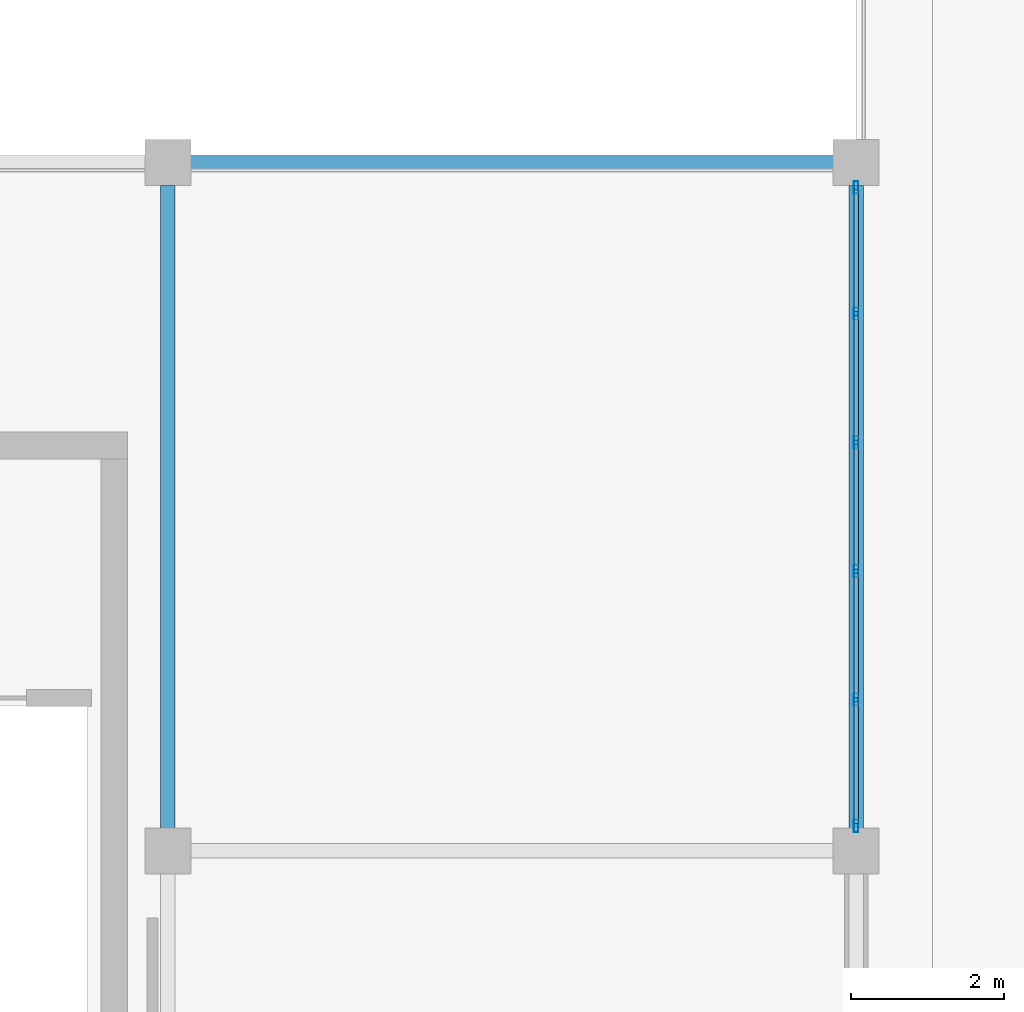
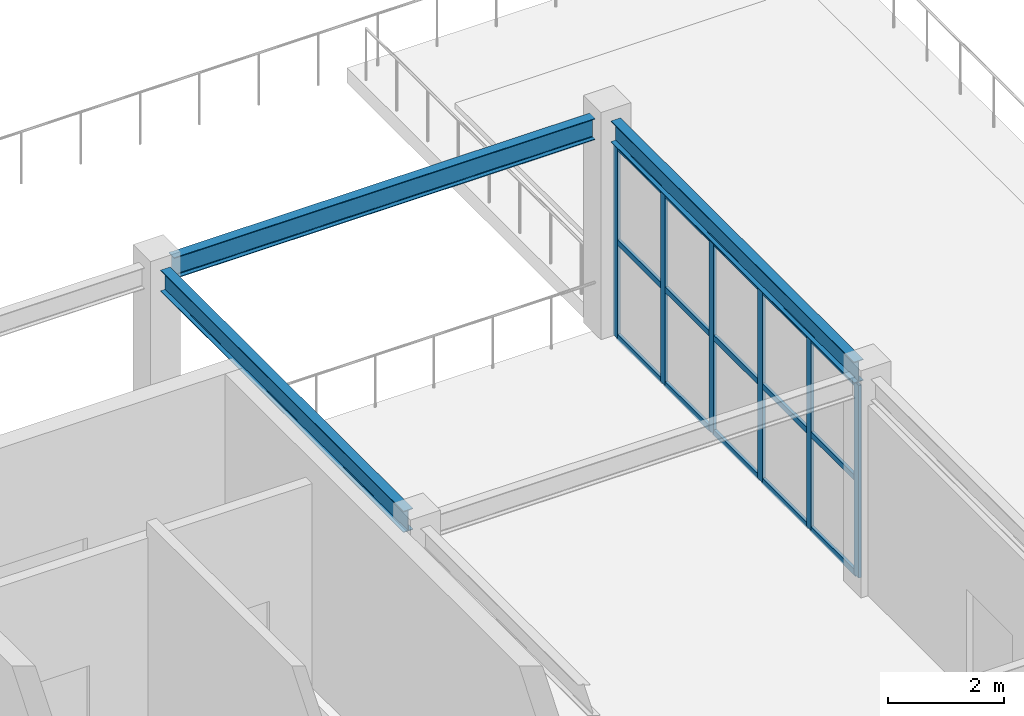
# One storey, part 100 of 167: 21 members, 3 beams, 1 element without a shape of its own.
"""IFC4 building model written with IfcOpenShell, lengths in metres."""

from ifc_helpers import new_model, si_unit, direction, frame, origin, origin_2d, place, context, subcontext, project, spatial, hollow_rectangle, i_section, extrude, material, layer, layer_set, material_profile, profile_set, type_object, element, aggregate, save


model = new_model("IFC4")

# Units and contexts
model_context = context("Model", 3, precision=1e-05, world=origin(), true_north=direction((0.0, 1.0)))
body_context = subcontext(model_context, "Body", "Model", "MODEL_VIEW")
ifc_project = project(units=[si_unit("LENGTHUNIT", "METRE"), si_unit("AREAUNIT", "SQUARE_METRE"), si_unit("VOLUMEUNIT", "CUBIC_METRE"), si_unit("PLANEANGLEUNIT", "RADIAN"), si_unit("MASSUNIT", "GRAM", prefix="KILO")], contexts=[model_context])

# Site, building, storey
site_placement = place(None, origin())
site = spatial("IfcSite", under=ifc_project, at=site_placement, CompositionType="ELEMENT")
building_placement = place(site_placement, origin())
building = spatial("IfcBuilding", under=site, at=building_placement, Name="Dornveld Trade and Exhibition Forum", CompositionType="ELEMENT")
storey_placement = place(building_placement, frame((0.0, 0.0, 16.800048828125)))
storey = spatial("IfcBuildingStorey", under=building, at=storey_placement, Name="L03", CompositionType="ELEMENT", Elevation=16.800048828125)

# Beams
ifc_material_1 = material(Name="Steel S355J2", Category="steel")
ifc_material_profile_1 = material_profile(ifc_material_1, i_section(OverallWidth=0.18994140625, OverallDepth=0.449951171875, WebThickness=0.009521484375, FlangeThickness=0.0146484375, FilletRadius=0.02099609375, at=origin_2d()), Name="IPE 450")
ifc_profile_set_1 = profile_set([ifc_material_profile_1], Name="Steel S355J2")
beam_type = type_object("IfcBeamType", Name="BM-SEC-450", PredefinedType="BEAM", material=ifc_profile_set_1)
for number, where, z_axis, x_axis, name in (
    (1, (189.2958984375, 126.0, 4.324951171875), (1.0, 0.0, 0.0), (0.0, 1.0, 0.0), "L03 X-girder 1642"),
    (2, (189.0, 117.2958984375, 4.324951171875), (0.0, 1.0, 0.0), (-1.0, 0.0, 0.0), "L03 Y-girder 1648"),
    (3, (198.0, 117.2958984375, 4.324951171875), (0.0, 1.0, 0.0), (-1.0, 0.0, 0.0), "L03 Y-girder 1650"),
):
    element("IfcBeam", number, at=place(storey_placement, frame(where, z_axis=z_axis, x_axis=x_axis)), inside=storey, type_object=beam_type, Name=name, PredefinedType="BEAM", context=body_context, shape_type="SweptSolid", body=[
        extrude(i_section(OverallWidth=0.18994140625, OverallDepth=0.449951171875, WebThickness=0.009521484375, FlangeThickness=0.0146484375, FilletRadius=0.02099609375, at=origin_2d()), origin(), (0.0, 0.0, 1.0), 8.408203125),
    ])

# Curtain wall, members
ifc_material_2 = material(Name="Dark-bronze anodised aluminium and low-E glass", Category="aluminium")
ifc_layer = layer(ifc_material_2, 0.18408203125)
ifc_layer_set = layer_set([ifc_layer], Name="Dark-bronze anodised aluminium and low-E glass")
curtain_wall_type = type_object("IfcCurtainWallType", Name="CW-SYS-14", PredefinedType="USERDEFINED", material=ifc_layer_set)
curtain_wall_placement = place(storey_placement, origin())
curtain_wall = element("IfcCurtainWall", 4, at=curtain_wall_placement, inside=storey, type_object=curtain_wall_type, Name="L03 unitised curtain wall 122", ObjectType="UNITISED_CURTAIN_WALL", PredefinedType="USERDEFINED")
ifc_material_3 = material(Name="Dark-bronze anodised aluminium", Category="aluminium")
ifc_material_profile_2 = material_profile(ifc_material_3, hollow_rectangle(XDim=0.06005859375, YDim=0.159912109375, WallThickness=0.00390625, at=origin_2d()), Name="RHS 160x60x4")
ifc_profile_set_2 = profile_set([ifc_material_profile_2], Name="Dark-bronze anodised aluminium")
member_type_1 = type_object("IfcMemberType", Name="CW-MUL-160", PredefinedType="MULLION", material=ifc_profile_set_2)
member_1_placement = place(storey_placement, frame((198.0, 117.325927734375, -0.004150390625), z_axis=(0.0, 0.0, 1.0), x_axis=(-1.0, 0.0, 0.0)))
member_1 = element("IfcMember", 5, at=member_1_placement, type_object=member_type_1, Name="CW-14 mullion 1", PredefinedType="MULLION", context=body_context, shape_type="SweptSolid", body=[
    extrude(hollow_rectangle(XDim=0.06005859375, YDim=0.159912109375, WallThickness=0.00390625, at=origin_2d()), origin(), (0.0, 0.0, 1.0), 4.064208984375),
])
member_2_placement = place(storey_placement, frame((198.0, 118.9775390625, -0.004150390625), z_axis=(0.0, 0.0, 1.0), x_axis=(-1.0, 0.0, 0.0)))
member_2 = element("IfcMember", 6, at=member_2_placement, type_object=member_type_1, Name="CW-14 mullion 2", PredefinedType="MULLION", context=body_context, shape_type="SweptSolid", body=[
    extrude(hollow_rectangle(XDim=0.06005859375, YDim=0.159912109375, WallThickness=0.00390625, at=origin_2d()), origin(), (0.0, 0.0, 1.0), 4.064208984375),
])
member_3_placement = place(storey_placement, frame((198.0, 120.6591796875, -0.004150390625), z_axis=(0.0, 0.0, 1.0), x_axis=(-1.0, 0.0, 0.0)))
member_3 = element("IfcMember", 7, at=member_3_placement, type_object=member_type_1, Name="CW-14 mullion 3", PredefinedType="MULLION", context=body_context, shape_type="SweptSolid", body=[
    extrude(hollow_rectangle(XDim=0.06005859375, YDim=0.159912109375, WallThickness=0.00390625, at=origin_2d()), origin(), (0.0, 0.0, 1.0), 4.064208984375),
])
member_4_placement = place(storey_placement, frame((198.0, 122.3408203125, -0.004150390625), z_axis=(0.0, 0.0, 1.0), x_axis=(-1.0, 0.0, 0.0)))
member_4 = element("IfcMember", 8, at=member_4_placement, type_object=member_type_1, Name="CW-14 mullion 4", PredefinedType="MULLION", context=body_context, shape_type="SweptSolid", body=[
    extrude(hollow_rectangle(XDim=0.06005859375, YDim=0.159912109375, WallThickness=0.00390625, at=origin_2d()), origin(), (0.0, 0.0, 1.0), 4.064208984375),
])
member_5_placement = place(storey_placement, frame((198.0, 124.0224609375, -0.004150390625), z_axis=(0.0, 0.0, 1.0), x_axis=(-1.0, 0.0, 0.0)))
member_5 = element("IfcMember", 9, at=member_5_placement, type_object=member_type_1, Name="CW-14 mullion 5", PredefinedType="MULLION", context=body_context, shape_type="SweptSolid", body=[
    extrude(hollow_rectangle(XDim=0.06005859375, YDim=0.159912109375, WallThickness=0.00390625, at=origin_2d()), origin(), (0.0, 0.0, 1.0), 4.064208984375),
])
member_6_placement = place(storey_placement, frame((198.0, 125.674072265625, -0.004150390625), z_axis=(0.0, 0.0, 1.0), x_axis=(-1.0, 0.0, 0.0)))
member_6 = element("IfcMember", 10, at=member_6_placement, type_object=member_type_1, Name="CW-14 mullion 6", PredefinedType="MULLION", context=body_context, shape_type="SweptSolid", body=[
    extrude(hollow_rectangle(XDim=0.06005859375, YDim=0.159912109375, WallThickness=0.00390625, at=origin_2d()), origin(), (0.0, 0.0, 1.0), 4.064208984375),
])
ifc_material_4 = material(Name="Dark-bronze anodised aluminium", Category="aluminium")
ifc_material_profile_3 = material_profile(ifc_material_4, hollow_rectangle(XDim=0.06005859375, YDim=0.1201171875, WallThickness=0.00390625, at=origin_2d()), Name="RHS 120x60x4")
ifc_profile_set_3 = profile_set([ifc_material_profile_3], Name="Dark-bronze anodised aluminium")
member_type_2 = type_object("IfcMemberType", Name="CW-TRN-120", PredefinedType="USERDEFINED", material=ifc_profile_set_3)
member_7_placement = place(storey_placement, frame((198.0, 117.35595703125, 0.02587890625), z_axis=(0.0, 1.0, 0.0), x_axis=(-1.0, 0.0, 0.0)))
member_7 = element("IfcMember", 11, at=member_7_placement, type_object=member_type_2, Name="CW-14 transom 1.1", ObjectType="TRANSOM", PredefinedType="USERDEFINED", context=body_context, shape_type="SweptSolid", body=[
    extrude(hollow_rectangle(XDim=0.06005859375, YDim=0.1201171875, WallThickness=0.00390625, at=origin_2d()), origin(), (0.0, 0.0, 1.0), 1.591552734375),
])
member_8_placement = place(storey_placement, frame((198.0, 117.35595703125, 2.02783203125), z_axis=(0.0, 1.0, 0.0), x_axis=(-1.0, 0.0, 0.0)))
member_8 = element("IfcMember", 12, at=member_8_placement, type_object=member_type_2, Name="CW-14 transom 1.2", ObjectType="TRANSOM", PredefinedType="USERDEFINED", context=body_context, shape_type="SweptSolid", body=[
    extrude(hollow_rectangle(XDim=0.06005859375, YDim=0.1201171875, WallThickness=0.00390625, at=origin_2d()), origin(), (0.0, 0.0, 1.0), 1.591552734375),
])
member_9_placement = place(storey_placement, frame((198.0, 117.35595703125, 4.030029296875), z_axis=(0.0, 1.0, 0.0), x_axis=(-1.0, 0.0, 0.0)))
member_9 = element("IfcMember", 13, at=member_9_placement, type_object=member_type_2, Name="CW-14 transom 1.3", ObjectType="TRANSOM", PredefinedType="USERDEFINED", context=body_context, shape_type="SweptSolid", body=[
    extrude(hollow_rectangle(XDim=0.06005859375, YDim=0.1201171875, WallThickness=0.00390625, at=origin_2d()), origin(), (0.0, 0.0, 1.0), 1.591552734375),
])
member_10_placement = place(storey_placement, frame((198.0, 119.007568359375, 0.02587890625), z_axis=(0.0, 1.0, 0.0), x_axis=(-1.0, 0.0, 0.0)))
member_10 = element("IfcMember", 14, at=member_10_placement, type_object=member_type_2, Name="CW-14 transom 2.1", ObjectType="TRANSOM", PredefinedType="USERDEFINED", context=body_context, shape_type="SweptSolid", body=[
    extrude(hollow_rectangle(XDim=0.06005859375, YDim=0.1201171875, WallThickness=0.00390625, at=origin_2d()), origin(), (0.0, 0.0, 1.0), 1.62158203125),
])
member_11_placement = place(storey_placement, frame((198.0, 119.007568359375, 2.02783203125), z_axis=(0.0, 1.0, 0.0), x_axis=(-1.0, 0.0, 0.0)))
member_11 = element("IfcMember", 15, at=member_11_placement, type_object=member_type_2, Name="CW-14 transom 2.2", ObjectType="TRANSOM", PredefinedType="USERDEFINED", context=body_context, shape_type="SweptSolid", body=[
    extrude(hollow_rectangle(XDim=0.06005859375, YDim=0.1201171875, WallThickness=0.00390625, at=origin_2d()), origin(), (0.0, 0.0, 1.0), 1.62158203125),
])
member_12_placement = place(storey_placement, frame((198.0, 119.007568359375, 4.030029296875), z_axis=(0.0, 1.0, 0.0), x_axis=(-1.0, 0.0, 0.0)))
member_12 = element("IfcMember", 16, at=member_12_placement, type_object=member_type_2, Name="CW-14 transom 2.3", ObjectType="TRANSOM", PredefinedType="USERDEFINED", context=body_context, shape_type="SweptSolid", body=[
    extrude(hollow_rectangle(XDim=0.06005859375, YDim=0.1201171875, WallThickness=0.00390625, at=origin_2d()), origin(), (0.0, 0.0, 1.0), 1.62158203125),
])
member_13_placement = place(storey_placement, frame((198.0, 120.689208984375, 0.02587890625), z_axis=(0.0, 1.0, 0.0), x_axis=(-1.0, 0.0, 0.0)))
member_13 = element("IfcMember", 17, at=member_13_placement, type_object=member_type_2, Name="CW-14 transom 3.1", ObjectType="TRANSOM", PredefinedType="USERDEFINED", context=body_context, shape_type="SweptSolid", body=[
    extrude(hollow_rectangle(XDim=0.06005859375, YDim=0.1201171875, WallThickness=0.00390625, at=origin_2d()), origin(), (0.0, 0.0, 1.0), 1.62158203125),
])
member_14_placement = place(storey_placement, frame((198.0, 120.689208984375, 2.02783203125), z_axis=(0.0, 1.0, 0.0), x_axis=(-1.0, 0.0, 0.0)))
member_14 = element("IfcMember", 18, at=member_14_placement, type_object=member_type_2, Name="CW-14 transom 3.2", ObjectType="TRANSOM", PredefinedType="USERDEFINED", context=body_context, shape_type="SweptSolid", body=[
    extrude(hollow_rectangle(XDim=0.06005859375, YDim=0.1201171875, WallThickness=0.00390625, at=origin_2d()), origin(), (0.0, 0.0, 1.0), 1.62158203125),
])
member_15_placement = place(storey_placement, frame((198.0, 120.689208984375, 4.030029296875), z_axis=(0.0, 1.0, 0.0), x_axis=(-1.0, 0.0, 0.0)))
member_15 = element("IfcMember", 19, at=member_15_placement, type_object=member_type_2, Name="CW-14 transom 3.3", ObjectType="TRANSOM", PredefinedType="USERDEFINED", context=body_context, shape_type="SweptSolid", body=[
    extrude(hollow_rectangle(XDim=0.06005859375, YDim=0.1201171875, WallThickness=0.00390625, at=origin_2d()), origin(), (0.0, 0.0, 1.0), 1.62158203125),
])
member_16_placement = place(storey_placement, frame((198.0, 122.370849609375, 0.02587890625), z_axis=(0.0, 1.0, 0.0), x_axis=(-1.0, 0.0, 0.0)))
member_16 = element("IfcMember", 20, at=member_16_placement, type_object=member_type_2, Name="CW-14 transom 4.1", ObjectType="TRANSOM", PredefinedType="USERDEFINED", context=body_context, shape_type="SweptSolid", body=[
    extrude(hollow_rectangle(XDim=0.06005859375, YDim=0.1201171875, WallThickness=0.00390625, at=origin_2d()), origin(), (0.0, 0.0, 1.0), 1.62158203125),
])
member_17_placement = place(storey_placement, frame((198.0, 122.370849609375, 2.02783203125), z_axis=(0.0, 1.0, 0.0), x_axis=(-1.0, 0.0, 0.0)))
member_17 = element("IfcMember", 21, at=member_17_placement, type_object=member_type_2, Name="CW-14 transom 4.2", ObjectType="TRANSOM", PredefinedType="USERDEFINED", context=body_context, shape_type="SweptSolid", body=[
    extrude(hollow_rectangle(XDim=0.06005859375, YDim=0.1201171875, WallThickness=0.00390625, at=origin_2d()), origin(), (0.0, 0.0, 1.0), 1.62158203125),
])
member_18_placement = place(storey_placement, frame((198.0, 122.370849609375, 4.030029296875), z_axis=(0.0, 1.0, 0.0), x_axis=(-1.0, 0.0, 0.0)))
member_18 = element("IfcMember", 22, at=member_18_placement, type_object=member_type_2, Name="CW-14 transom 4.3", ObjectType="TRANSOM", PredefinedType="USERDEFINED", context=body_context, shape_type="SweptSolid", body=[
    extrude(hollow_rectangle(XDim=0.06005859375, YDim=0.1201171875, WallThickness=0.00390625, at=origin_2d()), origin(), (0.0, 0.0, 1.0), 1.62158203125),
])
member_19_placement = place(storey_placement, frame((198.0, 124.052490234375, 0.02587890625), z_axis=(0.0, 1.0, 0.0), x_axis=(-1.0, 0.0, 0.0)))
member_19 = element("IfcMember", 23, at=member_19_placement, type_object=member_type_2, Name="CW-14 transom 5.1", ObjectType="TRANSOM", PredefinedType="USERDEFINED", context=body_context, shape_type="SweptSolid", body=[
    extrude(hollow_rectangle(XDim=0.06005859375, YDim=0.1201171875, WallThickness=0.00390625, at=origin_2d()), origin(), (0.0, 0.0, 1.0), 1.591552734375),
])
member_20_placement = place(storey_placement, frame((198.0, 124.052490234375, 2.02783203125), z_axis=(0.0, 1.0, 0.0), x_axis=(-1.0, 0.0, 0.0)))
member_20 = element("IfcMember", 24, at=member_20_placement, type_object=member_type_2, Name="CW-14 transom 5.2", ObjectType="TRANSOM", PredefinedType="USERDEFINED", context=body_context, shape_type="SweptSolid", body=[
    extrude(hollow_rectangle(XDim=0.06005859375, YDim=0.1201171875, WallThickness=0.00390625, at=origin_2d()), origin(), (0.0, 0.0, 1.0), 1.591552734375),
])
member_21_placement = place(storey_placement, frame((198.0, 124.052490234375, 4.030029296875), z_axis=(0.0, 1.0, 0.0), x_axis=(-1.0, 0.0, 0.0)))
member_21 = element("IfcMember", 25, at=member_21_placement, type_object=member_type_2, Name="CW-14 transom 5.3", ObjectType="TRANSOM", PredefinedType="USERDEFINED", context=body_context, shape_type="SweptSolid", body=[
    extrude(hollow_rectangle(XDim=0.06005859375, YDim=0.1201171875, WallThickness=0.00390625, at=origin_2d()), origin(), (0.0, 0.0, 1.0), 1.591552734375),
])
aggregate(curtain_wall, [member_1, member_2, member_3, member_4, member_5, member_6, member_7, member_8, member_9, member_10, member_11, member_12, member_13, member_14, member_15, member_16, member_17, member_18, member_19, member_20, member_21])

save(model, "model.ifc")
